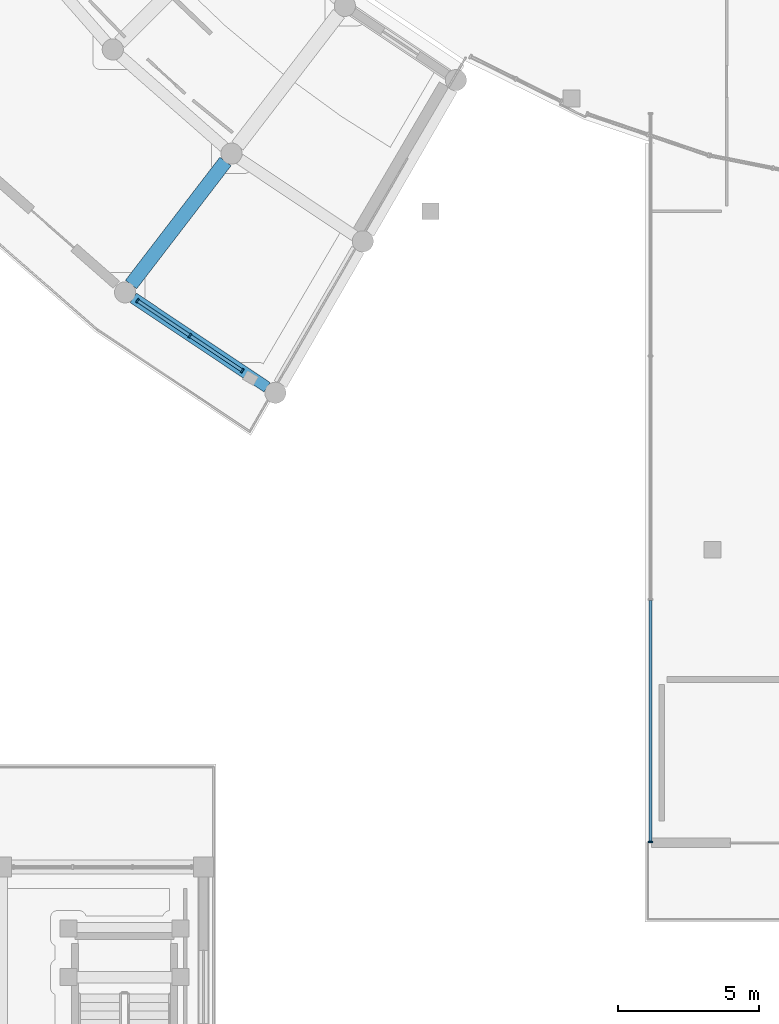
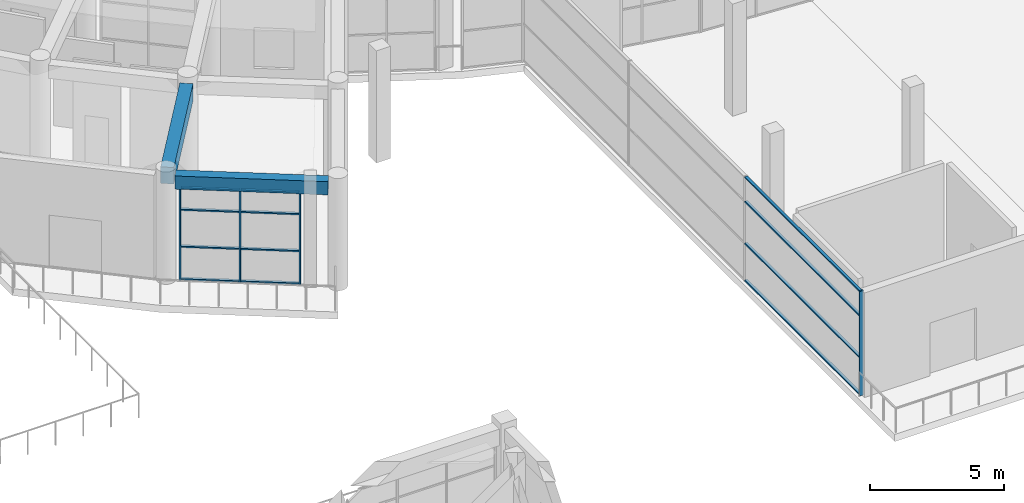
# One storey, part 21 of 99: 16 members, 2 beams, 2 elements without a shape of their own.
"""IFC4 building model written with IfcOpenShell, lengths in metres."""

from ifc_helpers import new_model, si_unit, direction, frame, origin, origin_2d, place, context, subcontext, project, spatial, rectangle, extrude, material, material_profile, profile_set, type_object, element, aggregate, save


model = new_model("IFC4")

# Units and contexts
model_context = context("Model", 3, precision=1e-05, world=origin(), true_north=direction((0.0, 1.0)))
body_context = subcontext(model_context, "Body", "Model", "MODEL_VIEW")
ifc_project = project(units=[si_unit("LENGTHUNIT", "METRE"), si_unit("AREAUNIT", "SQUARE_METRE"), si_unit("VOLUMEUNIT", "CUBIC_METRE"), si_unit("PLANEANGLEUNIT", "RADIAN"), si_unit("MASSUNIT", "GRAM", prefix="KILO")], contexts=[model_context])

# Site, building, storey
site_placement = place(None, origin())
site = spatial("IfcSite", under=ifc_project, at=site_placement, CompositionType="ELEMENT")
building_placement = place(site_placement, origin())
building = spatial("IfcBuilding", under=site, at=building_placement, Name="Saryqyr Civic Hall", CompositionType="ELEMENT")
storey_placement = place(building_placement, origin())
storey = spatial("IfcBuildingStorey", under=building, at=storey_placement, Name="L00", CompositionType="ELEMENT", Elevation=0.0)

# Curtain wall, members
ifc_material_1 = material(Name="Anodised aluminium and triple low-E glass", Category="aluminium")
curtain_wall_type_1 = type_object("IfcCurtainWallType", Name="ENV-CW-STD-12", PredefinedType="NOTDEFINED", material=ifc_material_1)
curtain_wall_1_placement = place(storey_placement, origin())
curtain_wall_1 = element("IfcCurtainWall", 1, at=curtain_wall_1_placement, inside=storey, type_object=curtain_wall_type_1, Name="Curtain wall V4-CWO-L00-09", PredefinedType="NOTDEFINED")
ifc_material_2 = material(Name="Anodised aluminium", Category="aluminium")
ifc_material_profile_1 = material_profile(ifc_material_2, rectangle(XDim=0.06005859375, YDim=0.159912109375, at=origin_2d()), Name="ALU MULLION 60x160")
ifc_profile_set_1 = profile_set([ifc_material_profile_1], Name="Anodised aluminium")
member_type_1 = type_object("IfcMemberType", Name="ENV-CW-MUL-180", PredefinedType="MULLION", material=ifc_profile_set_1)
member_1_placement = place(storey_placement, frame((31.32666015625, 42.348876953125, 0.0), z_axis=(0.0, 0.0, 1.0), x_axis=(-0.831475808139, 0.555560960182, 0.0)))
member_1 = element("IfcMember", 2, at=member_1_placement, type_object=member_type_1, Name="CW-12 mullion 1", PredefinedType="MULLION", context=body_context, shape_type="SweptSolid", body=[
    extrude(rectangle(XDim=0.06005859375, YDim=0.159912109375, at=origin_2d()), origin(), (0.0, 0.0, 1.0), 4.195068359375),
])
member_2_placement = place(storey_placement, frame((29.46875, 43.59033203125, 0.0), z_axis=(0.0, 0.0, 1.0), x_axis=(-0.831475808139, 0.555560960182, 0.0)))
member_2 = element("IfcMember", 3, at=member_2_placement, type_object=member_type_1, Name="CW-12 mullion 2", PredefinedType="MULLION", context=body_context, shape_type="SweptSolid", body=[
    extrude(rectangle(XDim=0.06005859375, YDim=0.159912109375, at=origin_2d()), origin(), (0.0, 0.0, 1.0), 4.195068359375),
])
member_3_placement = place(storey_placement, frame((27.610595703125, 44.831787109375, 0.0), z_axis=(0.0, 0.0, 1.0), x_axis=(-0.831475808139, 0.555560960182, 0.0)))
member_3 = element("IfcMember", 4, at=member_3_placement, type_object=member_type_1, Name="CW-12 mullion 3", PredefinedType="MULLION", context=body_context, shape_type="SweptSolid", body=[
    extrude(rectangle(XDim=0.06005859375, YDim=0.159912109375, at=origin_2d()), origin(), (0.0, 0.0, 1.0), 4.195068359375),
])

# Curtain wall, member
curtain_wall_type_2 = type_object("IfcCurtainWallType", Name="ENV-CW-STD-63", PredefinedType="NOTDEFINED", material=ifc_material_1)
curtain_wall_2_placement = place(storey_placement, origin())
curtain_wall_2 = element("IfcCurtainWall", 5, at=curtain_wall_2_placement, inside=storey, type_object=curtain_wall_type_2, Name="Curtain wall V2-VESTFLK-SW-L00", PredefinedType="NOTDEFINED")
member_4_placement = place(storey_placement, frame((45.800048828125, 25.639892578125, 0.0), z_axis=(0.0, 0.0, 1.0), x_axis=(0.0, 1.0, 0.0)))
member_4 = element("IfcMember", 6, at=member_4_placement, type_object=member_type_1, Name="CW-63 mullion 1", PredefinedType="MULLION", context=body_context, shape_type="SweptSolid", body=[
    extrude(rectangle(XDim=0.06005859375, YDim=0.159912109375, at=origin_2d()), origin(), (0.0, 0.0, 1.0), 4.75),
])

# Member
ifc_material_profile_2 = material_profile(ifc_material_2, rectangle(XDim=0.1201171875, YDim=0.06005859375, at=origin_2d()), Name="ALU TRANSOM 120x60")
ifc_profile_set_2 = profile_set([ifc_material_profile_2], Name="Anodised aluminium")
member_type_2 = type_object("IfcMemberType", Name="ENV-CW-TRN-150", PredefinedType="USERDEFINED", material=ifc_profile_set_2)
member_5_placement = place(storey_placement, frame((31.3017578125, 42.365478515625, 0.030029296875), z_axis=(-0.831497150444, 0.555529017067, 0.0), x_axis=(-0.555529017067, -0.831497150444, 0.0)))
member_5 = element("IfcMember", 7, at=member_5_placement, type_object=member_type_2, Name="CW-12 transom 1.1", ObjectType="TRANSOM", PredefinedType="USERDEFINED", context=body_context, shape_type="SweptSolid", body=[
    extrude(rectangle(XDim=0.1201171875, YDim=0.06005859375, at=origin_2d()), origin(), (0.0, 0.0, 1.0), 2.174560546875),
])

member_6_placement = place(storey_placement, frame((31.3017578125, 42.365478515625, 1.510009765625), z_axis=(-0.831497150444, 0.555529017067, 0.0), x_axis=(-0.555529017067, -0.831497150444, 0.0)))
member_6 = element("IfcMember", 8, at=member_6_placement, type_object=member_type_2, Name="CW-12 transom 1.2", ObjectType="TRANSOM", PredefinedType="USERDEFINED", context=body_context, shape_type="SweptSolid", body=[
    extrude(rectangle(XDim=0.1201171875, YDim=0.06005859375, at=origin_2d()), origin(), (0.0, 0.0, 1.0), 2.174560546875),
])

member_7_placement = place(storey_placement, frame((31.3017578125, 42.365478515625, 3.18798828125), z_axis=(-0.831497150444, 0.555529017067, 0.0), x_axis=(-0.555529017067, -0.831497150444, 0.0)))
member_7 = element("IfcMember", 9, at=member_7_placement, type_object=member_type_2, Name="CW-12 transom 1.3", ObjectType="TRANSOM", PredefinedType="USERDEFINED", context=body_context, shape_type="SweptSolid", body=[
    extrude(rectangle(XDim=0.1201171875, YDim=0.06005859375, at=origin_2d()), origin(), (0.0, 0.0, 1.0), 2.174560546875),
])

member_8_placement = place(storey_placement, frame((31.3017578125, 42.365478515625, 4.1650390625), z_axis=(-0.831497150444, 0.555529017067, 0.0), x_axis=(-0.555529017067, -0.831497150444, 0.0)))
member_8 = element("IfcMember", 10, at=member_8_placement, type_object=member_type_2, Name="CW-12 transom 1.4", ObjectType="TRANSOM", PredefinedType="USERDEFINED", context=body_context, shape_type="SweptSolid", body=[
    extrude(rectangle(XDim=0.1201171875, YDim=0.06005859375, at=origin_2d()), origin(), (0.0, 0.0, 1.0), 2.174560546875),
])

member_9_placement = place(storey_placement, frame((29.44384765625, 43.60693359375, 0.030029296875), z_axis=(-0.831479940273, 0.555554775808, 0.0), x_axis=(-0.555554775808, -0.831479940273, 0.0)))
member_9 = element("IfcMember", 11, at=member_9_placement, type_object=member_type_2, Name="CW-12 transom 2.1", ObjectType="TRANSOM", PredefinedType="USERDEFINED", context=body_context, shape_type="SweptSolid", body=[
    extrude(rectangle(XDim=0.1201171875, YDim=0.06005859375, at=origin_2d()), origin(), (0.0, 0.0, 1.0), 2.1748046875),
])

member_10_placement = place(storey_placement, frame((29.44384765625, 43.60693359375, 1.510009765625), z_axis=(-0.831479940273, 0.555554775808, 0.0), x_axis=(-0.555554775808, -0.831479940273, 0.0)))
member_10 = element("IfcMember", 12, at=member_10_placement, type_object=member_type_2, Name="CW-12 transom 2.2", ObjectType="TRANSOM", PredefinedType="USERDEFINED", context=body_context, shape_type="SweptSolid", body=[
    extrude(rectangle(XDim=0.1201171875, YDim=0.06005859375, at=origin_2d()), origin(), (0.0, 0.0, 1.0), 2.1748046875),
])

member_11_placement = place(storey_placement, frame((29.44384765625, 43.60693359375, 3.18798828125), z_axis=(-0.831479940273, 0.555554775808, 0.0), x_axis=(-0.555554775808, -0.831479940273, 0.0)))
member_11 = element("IfcMember", 13, at=member_11_placement, type_object=member_type_2, Name="CW-12 transom 2.3", ObjectType="TRANSOM", PredefinedType="USERDEFINED", context=body_context, shape_type="SweptSolid", body=[
    extrude(rectangle(XDim=0.1201171875, YDim=0.06005859375, at=origin_2d()), origin(), (0.0, 0.0, 1.0), 2.1748046875),
])

member_12_placement = place(storey_placement, frame((29.44384765625, 43.60693359375, 4.1650390625), z_axis=(-0.831479940273, 0.555554775808, 0.0), x_axis=(-0.555554775808, -0.831479940273, 0.0)))
member_12 = element("IfcMember", 14, at=member_12_placement, type_object=member_type_2, Name="CW-12 transom 2.4", ObjectType="TRANSOM", PredefinedType="USERDEFINED", context=body_context, shape_type="SweptSolid", body=[
    extrude(rectangle(XDim=0.1201171875, YDim=0.06005859375, at=origin_2d()), origin(), (0.0, 0.0, 1.0), 2.1748046875),
])

aggregate(curtain_wall_1, [member_1, member_2, member_3, member_5, member_6, member_7, member_8, member_9, member_10, member_11, member_12])

member_13_placement = place(storey_placement, frame((45.800048828125, 25.669921875, 0.030029296875), z_axis=(0.0, 1.0, 0.0), x_axis=(-1.0, 0.0, 0.0)))
member_13 = element("IfcMember", 15, at=member_13_placement, type_object=member_type_2, Name="CW-63 transom 1.1", ObjectType="TRANSOM", PredefinedType="USERDEFINED", context=body_context, shape_type="SweptSolid", body=[
    extrude(rectangle(XDim=0.1201171875, YDim=0.06005859375, at=origin_2d()), origin(), (0.0, 0.0, 1.0), 8.5400390625),
])

member_14_placement = place(storey_placement, frame((45.800048828125, 25.669921875, 1.7099609375), z_axis=(0.0, 1.0, 0.0), x_axis=(-1.0, 0.0, 0.0)))
member_14 = element("IfcMember", 16, at=member_14_placement, type_object=member_type_2, Name="CW-63 transom 1.2", ObjectType="TRANSOM", PredefinedType="USERDEFINED", context=body_context, shape_type="SweptSolid", body=[
    extrude(rectangle(XDim=0.1201171875, YDim=0.06005859375, at=origin_2d()), origin(), (0.0, 0.0, 1.0), 8.5400390625),
])

member_15_placement = place(storey_placement, frame((45.800048828125, 25.669921875, 3.610107421875), z_axis=(0.0, 1.0, 0.0), x_axis=(-1.0, 0.0, 0.0)))
member_15 = element("IfcMember", 17, at=member_15_placement, type_object=member_type_2, Name="CW-63 transom 1.3", ObjectType="TRANSOM", PredefinedType="USERDEFINED", context=body_context, shape_type="SweptSolid", body=[
    extrude(rectangle(XDim=0.1201171875, YDim=0.06005859375, at=origin_2d()), origin(), (0.0, 0.0, 1.0), 8.5400390625),
])

member_16_placement = place(storey_placement, frame((45.800048828125, 25.669921875, 4.719970703125), z_axis=(0.0, 1.0, 0.0), x_axis=(-1.0, 0.0, 0.0)))
member_16 = element("IfcMember", 18, at=member_16_placement, type_object=member_type_2, Name="CW-63 transom 1.4", ObjectType="TRANSOM", PredefinedType="USERDEFINED", context=body_context, shape_type="SweptSolid", body=[
    extrude(rectangle(XDim=0.1201171875, YDim=0.06005859375, at=origin_2d()), origin(), (0.0, 0.0, 1.0), 8.5400390625),
])

aggregate(curtain_wall_2, [member_4, member_13, member_14, member_15, member_16])

# Beams
ifc_material_3 = material(Name="Concrete C35/45", Category="concrete")
ifc_material_profile_3 = material_profile(ifc_material_3, rectangle(XDim=0.39990234375, YDim=0.60009765625, at=origin_2d()), Name="RC 400x600")
ifc_profile_set_3 = profile_set([ifc_material_profile_3], Name="Concrete C35/45")
beam_type_1 = type_object("IfcBeamType", Name="STR-BM-RC400x600-EXT", PredefinedType="BEAM", material=ifc_profile_set_3)
beam_1_placement = place(storey_placement, frame((27.461669921875, 44.931396484375, 4.52001953125), z_axis=(0.831464350495, -0.55557810779, 0.0), x_axis=(0.55557810779, 0.831464350495, 0.0)))
element("IfcBeam", 19, at=beam_1_placement, inside=storey, type_object=beam_type_1, Name="Beam V4-CBM-OUT09-L00", PredefinedType="BEAM", context=body_context, shape_type="SweptSolid", body=[
    extrude(rectangle(XDim=0.39990234375, YDim=0.60009765625, at=origin_2d()), origin(), (0.0, 0.0, 1.0), 5.70947265625),
])
ifc_material_4 = material(Name="Concrete C40/50", Category="concrete")
ifc_material_profile_4 = material_profile(ifc_material_4, rectangle(XDim=0.5, YDim=0.75, at=origin_2d()), Name="RC 500x750")
ifc_profile_set_4 = profile_set([ifc_material_profile_4], Name="Concrete C40/50")
beam_type_2 = type_object("IfcBeamType", Name="STR-BM-RC500x750", PredefinedType="BEAM", material=ifc_profile_set_4)
beam_2_placement = place(storey_placement, frame((30.73193359375, 49.766845703125, 4.445068359375), z_axis=(-0.608749268406, -0.793362671301, 0.0), x_axis=(0.793362671301, -0.608749268406, 0.0)))
element("IfcBeam", 20, at=beam_2_placement, inside=storey, type_object=beam_type_2, Name="Beam V4-RBM-B09-L00", PredefinedType="BEAM", context=body_context, shape_type="SweptSolid", body=[
    extrude(rectangle(XDim=0.5, YDim=0.75, at=origin_2d()), origin(), (0.0, 0.0, 1.0), 5.5),
])

save(model, "model.ifc")
